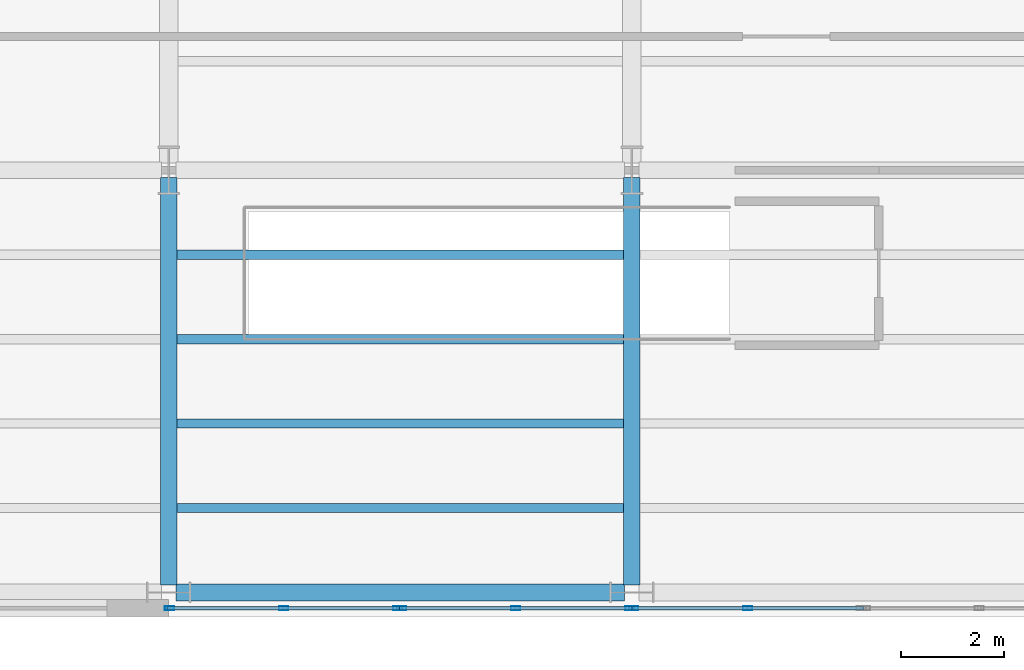
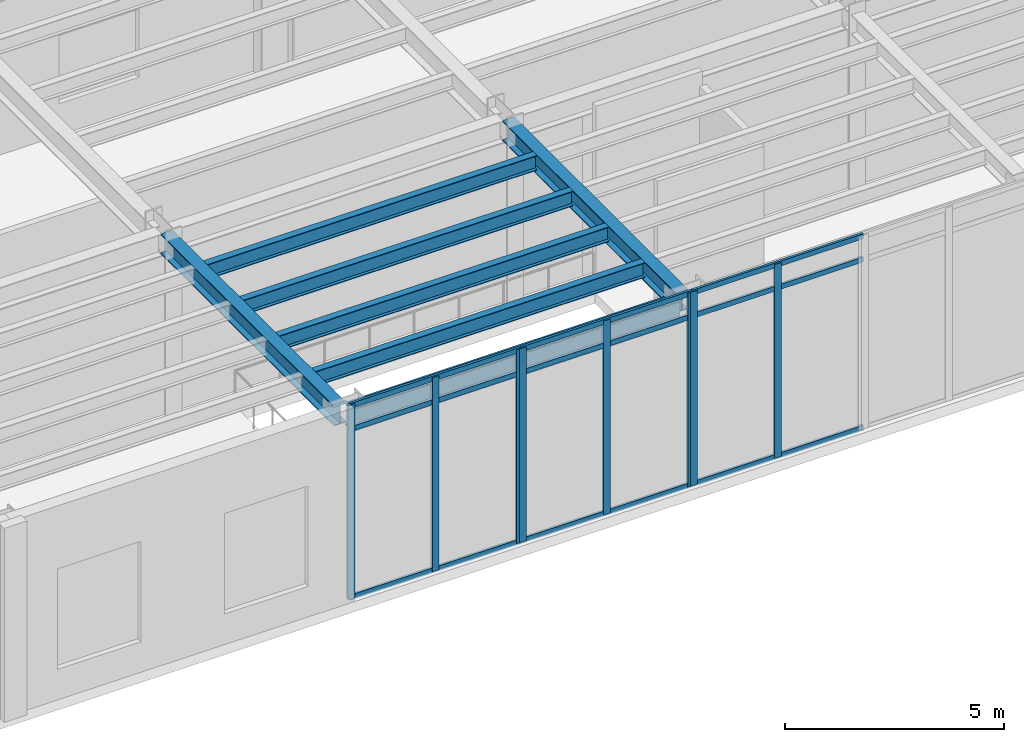
# One storey, part 29 of 98: 17 members, 7 beams, 3 elements without a shape of their own.
"""IFC4 building model written with IfcOpenShell, lengths in metres."""

import ifcopenshell
import ifcopenshell.guid

model = None  # the IFC model being written
_history = None  # IfcOwnerHistory: only IFC2X3 demands one
_inside = {}  # id of a spatial element -> (the spatial element, [elements in it])
_under = {}  # id of a project, library or spatial element -> (it, [spatial elements below it])
_declared = {}  # id of a project -> (the project, [libraries it declares])
_typed = {}  # id of a type object -> (the type object, [elements of that type])
_made_of = {}  # id of a material, layer set ... -> (it, [elements and type objects made of it])


def new_model(schema):
    """Start an empty IFC model of exactly this schema.

    Asked for "IFC4X3", IfcOpenShell would pick the latest addendum, in which some entities
    have other attributes; the version numbers below select the first issue.
    IFC2X3 requires an IfcOwnerHistory on every rooted entity: one is made here for all.
    """
    global model, _history
    if schema == "IFC4X3":
        model = ifcopenshell.file(schema_version=(4, 3, 0, 0))
    else:
        model = ifcopenshell.file(schema=schema)
    _inside.clear()
    _under.clear()
    _declared.clear()
    _typed.clear()
    _made_of.clear()
    _history = None
    if model.schema == "IFC2X3":
        org = make("IfcOrganization", Name="unknown")
        user = make(
            "IfcPersonAndOrganization",
            ThePerson=make("IfcPerson", FamilyName="unknown"),
            TheOrganization=org,
        )
        app = make(
            "IfcApplication",
            ApplicationDeveloper=org,
            Version="unknown",
            ApplicationFullName="unknown",
            ApplicationIdentifier="unknown",
        )
        _history = make(
            "IfcOwnerHistory",
            OwningUser=user,
            OwningApplication=app,
            ChangeAction="ADDED",
            CreationDate=0,
        )
    return model


def make(cls, **values):
    """One entity of the class cls with the attributes given. An attribute that is None is left unset."""
    return model.create_entity(
        cls, **{name: value for name, value in values.items() if value is not None}
    )


def rooted(cls, **values):
    """An entity with a GlobalId (a new one), such as an element, a storey or a relation."""
    return make(cls, GlobalId=ifcopenshell.guid.new(), OwnerHistory=_history, **values)


def si_unit(unit_type, name, prefix=None):
    """IfcSIUnit, for example si_unit("LENGTHUNIT", "METRE", prefix="MILLI")."""
    return make("IfcSIUnit", UnitType=unit_type, Prefix=prefix, Name=name)


def assignment(units):
    """IfcUnitAssignment: the units of a project."""
    return None if units is None else make("IfcUnitAssignment", Units=units)


def point(xyz):
    """IfcCartesianPoint."""
    return None if xyz is None else make("IfcCartesianPoint", Coordinates=xyz)


def direction(xyz):
    """IfcDirection."""
    return None if xyz is None else make("IfcDirection", DirectionRatios=xyz)


def frame(location, z_axis=None, x_axis=None):
    """IfcAxis2Placement3D, a coordinate frame: its origin and axes. An axis left out is left unset."""
    return make(
        "IfcAxis2Placement3D",
        Location=point(location),
        Axis=direction(z_axis),
        RefDirection=direction(x_axis),
    )


def frame_2d(location, x_axis=None):
    """IfcAxis2Placement2D, a coordinate frame in the plane: its origin and x axis."""
    return make(
        "IfcAxis2Placement2D", Location=point(location), RefDirection=direction(x_axis)
    )


def origin():
    """The frame at (0, 0, 0) with its axes left unset."""
    return frame((0.0, 0.0, 0.0))


def origin_2d():
    """The frame at (0, 0) in the plane with its x axis left unset."""
    return frame_2d((0.0, 0.0))


def place(relative_to, where):
    """IfcLocalPlacement: puts the frame where relative to a parent placement (None: the world)."""
    return make(
        "IfcLocalPlacement", PlacementRelTo=relative_to, RelativePlacement=where
    )


def context(
    kind, dimensions, precision=None, world=None, true_north=None, identifier=None
):
    """IfcGeometricRepresentationContext, for example the 3D "Model" context."""
    return make(
        "IfcGeometricRepresentationContext",
        ContextIdentifier=identifier,
        ContextType=kind,
        CoordinateSpaceDimension=dimensions,
        Precision=precision,
        WorldCoordinateSystem=world,
        TrueNorth=true_north,
    )


def subcontext(parent, identifier, kind, view, scale=None):
    """IfcGeometricRepresentationSubContext, for example "Body" below "Model"."""
    return make(
        "IfcGeometricRepresentationSubContext",
        ContextIdentifier=identifier,
        ContextType=kind,
        ParentContext=parent,
        TargetScale=scale,
        TargetView=view,
    )


def project(units=None, contexts=None):
    """IfcProject with its units and contexts."""
    return rooted(
        "IfcProject",
        Name="project",
        RepresentationContexts=contexts,
        UnitsInContext=assignment(units),
    )


def spatial(cls, under=None, at=None, **own):
    """A site, building, storey or space (cls), placed at a placement, below another one or the project."""
    s = rooted(cls, ObjectPlacement=at, **own)
    if under is not None:
        _under.setdefault(under.id(), (under, []))[1].append(s)
    return s


def profile(cls, at=None, kind="AREA", **sizes):
    """A parametric profile (cls). Its sizes go by their IFC names, for example OverallWidth=200.0."""
    return make(cls, ProfileType=kind, Position=at, **sizes)


def hollow_rectangle(**sizes):
    """IfcRectangleHollowProfileDef."""
    return profile("IfcRectangleHollowProfileDef", **sizes)


def i_section(**sizes):
    """IfcIShapeProfileDef."""
    return profile("IfcIShapeProfileDef", **sizes)


def extrude(swept, where, along, depth):
    """IfcExtrudedAreaSolid: the profile swept, set in the frame where, extruded along a direction by depth."""
    return make(
        "IfcExtrudedAreaSolid",
        SweptArea=swept,
        Position=where,
        ExtrudedDirection=direction(along),
        Depth=depth,
    )


def shape(context_of_items, identifier, shape_type, items):
    """IfcShapeRepresentation: the items that make up one representation, for example the "Body"."""
    return make(
        "IfcShapeRepresentation",
        ContextOfItems=context_of_items,
        RepresentationIdentifier=identifier,
        RepresentationType=shape_type,
        Items=items,
    )


def material(Name=None, Category=None):
    """IfcMaterial."""
    return make("IfcMaterial", Name=Name, Category=Category)


def layer(
    of_material, thickness, ventilated=None, Name=None, Category=None, Priority=None
):
    """IfcMaterialLayer: one layer of a wall or slab, of a material (None: an air gap)."""
    return make(
        "IfcMaterialLayer",
        Material=of_material,
        LayerThickness=thickness,
        IsVentilated=ventilated,
        Name=Name,
        Category=Category,
        Priority=Priority,
    )


def layer_set(layers, Name=None):
    """IfcMaterialLayerSet."""
    return make("IfcMaterialLayerSet", MaterialLayers=layers, LayerSetName=Name)


def material_profile(
    of_material, cross_section, Name=None, Category=None, Priority=None
):
    """IfcMaterialProfile: a cross section and its material."""
    return make(
        "IfcMaterialProfile",
        Name=Name,
        Material=of_material,
        Profile=cross_section,
        Priority=Priority,
        Category=Category,
    )


def profile_set(profiles, Name=None, composite=None):
    """IfcMaterialProfileSet."""
    return make(
        "IfcMaterialProfileSet",
        Name=Name,
        MaterialProfiles=profiles,
        CompositeProfile=composite,
    )


def made_of(thing, what):
    """Note that an element or type object is made of a material, layer set ...; save() writes the relation."""
    if what is not None:
        _made_of.setdefault(what.id(), (what, []))[1].append(thing)
    return thing


def type_object(cls, material=None, **own):
    """A type object (cls), such as IfcWallType, which elements share."""
    return made_of(rooted(cls, **own), material)


def element(
    cls,
    number,
    at=None,
    inside=None,
    cuts=None,
    type_object=None,
    material=None,
    context=None,
    identifier="Body",
    shape_type=None,
    held_by="IfcProductDefinitionShape",
    body=None,
    shapes=None,
    **own,
):
    """One element of the class cls, such as IfcWall. Its Tag is "e" and its number.

    at: its placement. inside: the storey or other place that contains it. cuts: it is an
    opening in that element (IfcRelVoidsElement). A single representation is given by context,
    identifier, shape_type and body (its items); several are given by shapes. held_by: the class
    of the entity that holds the representations. save() writes the other relations.
    """
    e = rooted(cls, Tag="e%d" % number, ObjectPlacement=at, **own)
    if body is not None:
        shapes = [shape(context, identifier, shape_type, body)]
    if shapes is not None:
        e.Representation = make(held_by, Representations=shapes)
    if inside is not None:
        _inside.setdefault(inside.id(), (inside, []))[1].append(e)
    if cuts is not None:
        rooted(
            "IfcRelVoidsElement", RelatingBuildingElement=cuts, RelatedOpeningElement=e
        )
    if type_object is not None:
        _typed.setdefault(type_object.id(), (type_object, []))[1].append(e)
    return made_of(e, material)


def aggregate(whole, parts):
    """IfcRelAggregates: a whole, such as a stair, and the parts it consists of."""
    return rooted("IfcRelAggregates", RelatingObject=whole, RelatedObjects=parts)


def save(model, path):
    """Write the relations noted so far, then the file.

    IfcRelAggregates (storeys below a building ...), IfcRelContainedInSpatialStructure (elements
    in a storey), IfcRelDefinesByType, IfcRelAssociatesMaterial and IfcRelDeclares: one each for
    every whole, place, type object, material and project.
    """
    for whole, parts in _under.values():
        aggregate(whole, parts)
    for where, things in _inside.values():
        rooted(
            "IfcRelContainedInSpatialStructure",
            RelatedElements=things,
            RelatingStructure=where,
        )
    for kind, things in _typed.values():
        rooted("IfcRelDefinesByType", RelatedObjects=things, RelatingType=kind)
    for what, things in _made_of.values():
        rooted("IfcRelAssociatesMaterial", RelatedObjects=things, RelatingMaterial=what)
    for by, libraries in _declared.values():
        rooted("IfcRelDeclares", RelatingContext=by, RelatedDefinitions=libraries)
    model.write(path)


model = new_model("IFC4")

# Units and contexts
model_context = context("Model", 3, precision=1e-05, world=origin(), true_north=direction((0.0, 1.0)))
body_context = subcontext(model_context, "Body", "Model", "MODEL_VIEW")
ifc_project = project(units=[si_unit("LENGTHUNIT", "METRE"), si_unit("AREAUNIT", "SQUARE_METRE"), si_unit("VOLUMEUNIT", "CUBIC_METRE"), si_unit("PLANEANGLEUNIT", "RADIAN"), si_unit("MASSUNIT", "GRAM", prefix="KILO")], contexts=[model_context])

# Site, building, storey
site_placement = place(None, origin())
site = spatial("IfcSite", under=ifc_project, at=site_placement, CompositionType="ELEMENT")
building_placement = place(site_placement, origin())
building = spatial("IfcBuilding", under=site, at=building_placement, Name="Sollismere Congress Hotel", CompositionType="ELEMENT")
storey_placement = place(building_placement, frame((0.0, 0.0, 5.39990234375)))
storey = spatial("IfcBuildingStorey", under=building, at=storey_placement, Name="L01", CompositionType="ELEMENT", Elevation=5.39990234375)

# Beams
ifc_material_1 = material(Name="Steel ASTM A992 Grade 50", Category="steel")
ifc_material_profile_1 = material_profile(ifc_material_1, i_section(OverallWidth=0.31494140625, OverallDepth=0.551025390625, WebThickness=0.01513671875, FlangeThickness=0.0244140625, at=origin_2d()), Name="W21X122")
ifc_profile_set_1 = profile_set([ifc_material_profile_1], Name="Steel ASTM A992 Grade 50")
beam_type_1 = type_object("IfcBeamType", Name="BM-G21H", PredefinedType="BEAM", material=ifc_profile_set_1)
for number, where, z_axis, x_axis, name in (
    (1, (67.0, 0.139892578125, 4.844482421875), (0.0, 1.0, 0.0), (-1.0, 0.0, 0.0), "Beam BM-L01-1657"),
    (2, (76.0, 0.139892578125, 4.844482421875), (0.0, 1.0, 0.0), (-1.0, 0.0, 0.0), "Beam BM-L01-1663"),
):
    element("IfcBeam", number, at=place(storey_placement, frame(where, z_axis=z_axis, x_axis=x_axis)), inside=storey, type_object=beam_type_1, Name=name, PredefinedType="BEAM", context=body_context, shape_type="SweptSolid", body=[
        extrude(i_section(OverallWidth=0.31494140625, OverallDepth=0.551025390625, WebThickness=0.01513671875, FlangeThickness=0.0244140625, at=origin_2d()), origin(), (0.0, 0.0, 1.0), 7.920166015625),
    ])
ifc_material_profile_2 = material_profile(ifc_material_1, i_section(OverallWidth=0.180908203125, OverallDepth=0.4169921875, WebThickness=0.010986328125, FlangeThickness=0.018310546875, at=origin_2d()), Name="W16X57")
ifc_profile_set_2 = profile_set([ifc_material_profile_2], Name="Steel ASTM A992 Grade 50")
beam_type_2 = type_object("IfcBeamType", Name="BM-J16", PredefinedType="JOIST", material=ifc_profile_set_2)
for number, where, z_axis, x_axis, name in (
    (3, (67.157470703125, 1.639892578125, 4.91162109375), (1.0, 0.0, 0.0), (0.0, 1.0, 0.0), "Beam BM-L01-1794"),
    (4, (67.157470703125, 3.280029296875, 4.91162109375), (1.0, 0.0, 0.0), (0.0, 1.0, 0.0), "Beam BM-L01-1795"),
    (5, (67.157470703125, 4.919921875, 4.91162109375), (1.0, 0.0, 0.0), (0.0, 1.0, 0.0), "Beam BM-L01-1796"),
    (6, (67.157470703125, 6.56005859375, 4.91162109375), (1.0, 0.0, 0.0), (0.0, 1.0, 0.0), "Beam BM-L01-1797"),
):
    element("IfcBeam", number, at=place(storey_placement, frame(where, z_axis=z_axis, x_axis=x_axis)), inside=storey, type_object=beam_type_2, Name=name, PredefinedType="JOIST", context=body_context, shape_type="SweptSolid", body=[
        extrude(i_section(OverallWidth=0.180908203125, OverallDepth=0.4169921875, WebThickness=0.010986328125, FlangeThickness=0.018310546875, at=origin_2d()), origin(), (0.0, 0.0, 1.0), 8.68505859375),
    ])
ifc_material_profile_3 = material_profile(ifc_material_1, i_section(OverallWidth=0.330078125, OverallDepth=0.635009765625, WebThickness=0.017822265625, FlangeThickness=0.031005859375, at=origin_2d()), Name="W24X162")
ifc_profile_set_3 = profile_set([ifc_material_profile_3], Name="Steel ASTM A992 Grade 50")
beam_type_3 = type_object("IfcBeamType", Name="BM-SP24E", PredefinedType="SPANDREL", material=ifc_profile_set_3)
beam_placement = place(storey_placement, frame((67.139892578125, 0.0, 4.802490234375), z_axis=(1.0, 0.0, 0.0), x_axis=(0.0, 1.0, 0.0)))
element("IfcBeam", 7, at=beam_placement, inside=storey, type_object=beam_type_3, Name="Beam BM-L01-1526", PredefinedType="SPANDREL", context=body_context, shape_type="SweptSolid", body=[
    extrude(i_section(OverallWidth=0.330078125, OverallDepth=0.635009765625, WebThickness=0.017822265625, FlangeThickness=0.031005859375, at=origin_2d()), origin(), (0.0, 0.0, 1.0), 8.72021484375),
])

# Curtain wall, members
ifc_material_2 = material(Name="Anodized Bronze Curtain Wall & Low-E Triple Glazing", Category="glass")
ifc_layer = layer(ifc_material_2, 0.199951171875, Name="Anodized Bronze Curtain Wall & Low-E Triple Glazing")
ifc_layer_set = layer_set([ifc_layer], Name="Anodized Bronze Curtain Wall & Low-E Triple Glazing")
curtain_wall_type = type_object("IfcCurtainWallType", Name="CW-GLZ36", PredefinedType="USERDEFINED", material=ifc_layer_set)
curtain_wall_1_placement = place(storey_placement, origin())
curtain_wall_1 = element("IfcCurtainWall", 8, at=curtain_wall_1_placement, inside=storey, type_object=curtain_wall_type, Name="Unitised curtain wall CW-L01-153", ObjectType="UNITISED CURTAIN WALL", PredefinedType="USERDEFINED")
ifc_material_3 = material(Name="Anodized Aluminum 6063-T6", Category="aluminium")
ifc_material_profile_4 = material_profile(ifc_material_3, hollow_rectangle(XDim=0.074951171875, YDim=0.179931640625, WallThickness=0.0048828125, at=origin_2d()), Name="ALU180X75X5")
ifc_profile_set_4 = profile_set([ifc_material_profile_4], Name="Anodized Aluminum 6063-T6")
member_type_1 = type_object("IfcMemberType", Name="ML-CW180", PredefinedType="MULLION", material=ifc_profile_set_4)
member_1_placement = place(storey_placement, frame((67.01806640625, -0.31005859375, 0.0), z_axis=(0.0, 0.0, 1.0), x_axis=(0.0, 1.0, 0.0)))
member_1 = element("IfcMember", 9, at=member_1_placement, type_object=member_type_1, Name="CWL-CW-L01-153-ML01", PredefinedType="MULLION", context=body_context, shape_type="SweptSolid", body=[
    extrude(hollow_rectangle(XDim=0.074951171875, YDim=0.179931640625, WallThickness=0.0048828125, at=origin_2d()), origin(), (0.0, 0.0, 1.0), 5.400146484375),
])
member_2_placement = place(storey_placement, frame((69.235107421875, -0.31005859375, 0.0), z_axis=(0.0, 0.0, 1.0), x_axis=(0.0, 1.0, 0.0)))
member_2 = element("IfcMember", 10, at=member_2_placement, type_object=member_type_1, Name="CWL-CW-L01-153-ML02", PredefinedType="MULLION", context=body_context, shape_type="SweptSolid", body=[
    extrude(hollow_rectangle(XDim=0.074951171875, YDim=0.179931640625, WallThickness=0.0048828125, at=origin_2d()), origin(), (0.0, 0.0, 1.0), 5.400146484375),
])
member_3_placement = place(storey_placement, frame((71.451904296875, -0.31005859375, 0.0), z_axis=(0.0, 0.0, 1.0), x_axis=(0.0, 1.0, 0.0)))
member_3 = element("IfcMember", 11, at=member_3_placement, type_object=member_type_1, Name="CWL-CW-L01-153-ML03", PredefinedType="MULLION", context=body_context, shape_type="SweptSolid", body=[
    extrude(hollow_rectangle(XDim=0.074951171875, YDim=0.179931640625, WallThickness=0.0048828125, at=origin_2d()), origin(), (0.0, 0.0, 1.0), 5.400146484375),
])

curtain_wall_2_placement = place(storey_placement, origin())
curtain_wall_2 = element("IfcCurtainWall", 12, at=curtain_wall_2_placement, inside=storey, type_object=curtain_wall_type, Name="Unitised curtain wall CW-L01-154", ObjectType="UNITISED CURTAIN WALL", PredefinedType="USERDEFINED")
member_4_placement = place(storey_placement, frame((71.528076171875, -0.31005859375, 0.0), z_axis=(0.0, 0.0, 1.0), x_axis=(0.0, 1.0, 0.0)))
member_4 = element("IfcMember", 13, at=member_4_placement, type_object=member_type_1, Name="CWL-CW-L01-154-ML01", PredefinedType="MULLION", context=body_context, shape_type="SweptSolid", body=[
    extrude(hollow_rectangle(XDim=0.074951171875, YDim=0.179931640625, WallThickness=0.0048828125, at=origin_2d()), origin(), (0.0, 0.0, 1.0), 5.400146484375),
])
member_5_placement = place(storey_placement, frame((73.7451171875, -0.31005859375, 0.0), z_axis=(0.0, 0.0, 1.0), x_axis=(0.0, 1.0, 0.0)))
member_5 = element("IfcMember", 14, at=member_5_placement, type_object=member_type_1, Name="CWL-CW-L01-154-ML02", PredefinedType="MULLION", context=body_context, shape_type="SweptSolid", body=[
    extrude(hollow_rectangle(XDim=0.074951171875, YDim=0.179931640625, WallThickness=0.0048828125, at=origin_2d()), origin(), (0.0, 0.0, 1.0), 5.400146484375),
])
member_6_placement = place(storey_placement, frame((75.9619140625, -0.31005859375, 0.0), z_axis=(0.0, 0.0, 1.0), x_axis=(0.0, 1.0, 0.0)))
member_6 = element("IfcMember", 15, at=member_6_placement, type_object=member_type_1, Name="CWL-CW-L01-154-ML03", PredefinedType="MULLION", context=body_context, shape_type="SweptSolid", body=[
    extrude(hollow_rectangle(XDim=0.074951171875, YDim=0.179931640625, WallThickness=0.0048828125, at=origin_2d()), origin(), (0.0, 0.0, 1.0), 5.400146484375),
])

curtain_wall_3_placement = place(storey_placement, origin())
curtain_wall_3 = element("IfcCurtainWall", 16, at=curtain_wall_3_placement, inside=storey, type_object=curtain_wall_type, Name="Unitised curtain wall CW-L01-155", ObjectType="UNITISED CURTAIN WALL", PredefinedType="USERDEFINED")
member_7_placement = place(storey_placement, frame((76.0380859375, -0.31005859375, 0.0), z_axis=(0.0, 0.0, 1.0), x_axis=(0.0, 1.0, 0.0)))
member_7 = element("IfcMember", 17, at=member_7_placement, type_object=member_type_1, Name="CWL-CW-L01-155-ML01", PredefinedType="MULLION", context=body_context, shape_type="SweptSolid", body=[
    extrude(hollow_rectangle(XDim=0.074951171875, YDim=0.179931640625, WallThickness=0.0048828125, at=origin_2d()), origin(), (0.0, 0.0, 1.0), 5.400146484375),
])
member_8_placement = place(storey_placement, frame((78.25, -0.31005859375, 0.0), z_axis=(0.0, 0.0, 1.0), x_axis=(0.0, 1.0, 0.0)))
member_8 = element("IfcMember", 18, at=member_8_placement, type_object=member_type_1, Name="CWL-CW-L01-155-ML02", PredefinedType="MULLION", context=body_context, shape_type="SweptSolid", body=[
    extrude(hollow_rectangle(XDim=0.074951171875, YDim=0.179931640625, WallThickness=0.0048828125, at=origin_2d()), origin(), (0.0, 0.0, 1.0), 5.400146484375),
])

# Member
ifc_material_profile_5 = material_profile(ifc_material_3, hollow_rectangle(XDim=0.06494140625, YDim=0.139892578125, WallThickness=0.00390625, at=origin_2d()), Name="ALU140X65X4")
ifc_profile_set_5 = profile_set([ifc_material_profile_5], Name="Anodized Aluminum 6063-T6")
member_type_2 = type_object("IfcMemberType", Name="TR-CW150", PredefinedType="MEMBER", material=ifc_profile_set_5)
member_9_placement = place(storey_placement, frame((66.97998046875, -0.31005859375, 0.03271484375), z_axis=(1.0, 0.0, 0.0), x_axis=(0.0, 1.0, 0.0)))
member_9 = element("IfcMember", 19, at=member_9_placement, type_object=member_type_2, Name="CWL-CW-L01-153-TR1", PredefinedType="MEMBER", context=body_context, shape_type="SweptSolid", body=[
    extrude(hollow_rectangle(XDim=0.06494140625, YDim=0.139892578125, WallThickness=0.00390625, at=origin_2d()), origin(), (0.0, 0.0, 1.0), 4.510009765625),
])

member_10_placement = place(storey_placement, frame((66.97998046875, -0.31005859375, 4.72021484375), z_axis=(1.0, 0.0, 0.0), x_axis=(0.0, 1.0, 0.0)))
member_10 = element("IfcMember", 20, at=member_10_placement, type_object=member_type_2, Name="CWL-CW-L01-153-TR2", PredefinedType="MEMBER", context=body_context, shape_type="SweptSolid", body=[
    extrude(hollow_rectangle(XDim=0.06494140625, YDim=0.139892578125, WallThickness=0.00390625, at=origin_2d()), origin(), (0.0, 0.0, 1.0), 4.510009765625),
])

member_11_placement = place(storey_placement, frame((66.97998046875, -0.31005859375, 5.36767578125), z_axis=(1.0, 0.0, 0.0), x_axis=(0.0, 1.0, 0.0)))
member_11 = element("IfcMember", 21, at=member_11_placement, type_object=member_type_2, Name="CWL-CW-L01-153-TR3", PredefinedType="MEMBER", context=body_context, shape_type="SweptSolid", body=[
    extrude(hollow_rectangle(XDim=0.06494140625, YDim=0.139892578125, WallThickness=0.00390625, at=origin_2d()), origin(), (0.0, 0.0, 1.0), 4.510009765625),
])

aggregate(curtain_wall_1, [member_1, member_2, member_3, member_9, member_10, member_11])

member_12_placement = place(storey_placement, frame((71.489990234375, -0.31005859375, 0.03271484375), z_axis=(1.0, 0.0, 0.0), x_axis=(0.0, 1.0, 0.0)))
member_12 = element("IfcMember", 22, at=member_12_placement, type_object=member_type_2, Name="CWL-CW-L01-154-TR1", PredefinedType="MEMBER", context=body_context, shape_type="SweptSolid", body=[
    extrude(hollow_rectangle(XDim=0.06494140625, YDim=0.139892578125, WallThickness=0.00390625, at=origin_2d()), origin(), (0.0, 0.0, 1.0), 4.510009765625),
])

member_13_placement = place(storey_placement, frame((71.489990234375, -0.31005859375, 4.72021484375), z_axis=(1.0, 0.0, 0.0), x_axis=(0.0, 1.0, 0.0)))
member_13 = element("IfcMember", 23, at=member_13_placement, type_object=member_type_2, Name="CWL-CW-L01-154-TR2", PredefinedType="MEMBER", context=body_context, shape_type="SweptSolid", body=[
    extrude(hollow_rectangle(XDim=0.06494140625, YDim=0.139892578125, WallThickness=0.00390625, at=origin_2d()), origin(), (0.0, 0.0, 1.0), 4.510009765625),
])

member_14_placement = place(storey_placement, frame((71.489990234375, -0.31005859375, 5.36767578125), z_axis=(1.0, 0.0, 0.0), x_axis=(0.0, 1.0, 0.0)))
member_14 = element("IfcMember", 24, at=member_14_placement, type_object=member_type_2, Name="CWL-CW-L01-154-TR3", PredefinedType="MEMBER", context=body_context, shape_type="SweptSolid", body=[
    extrude(hollow_rectangle(XDim=0.06494140625, YDim=0.139892578125, WallThickness=0.00390625, at=origin_2d()), origin(), (0.0, 0.0, 1.0), 4.510009765625),
])

aggregate(curtain_wall_2, [member_4, member_5, member_6, member_12, member_13, member_14])

member_15_placement = place(storey_placement, frame((76.0, -0.31005859375, 0.03271484375), z_axis=(1.0, 0.0, 0.0), x_axis=(0.0, 1.0, 0.0)))
member_15 = element("IfcMember", 25, at=member_15_placement, type_object=member_type_2, Name="CWL-CW-L01-155-TR1", PredefinedType="MEMBER", context=body_context, shape_type="SweptSolid", body=[
    extrude(hollow_rectangle(XDim=0.06494140625, YDim=0.139892578125, WallThickness=0.00390625, at=origin_2d()), origin(), (0.0, 0.0, 1.0), 4.5),
])

member_16_placement = place(storey_placement, frame((76.0, -0.31005859375, 4.72021484375), z_axis=(1.0, 0.0, 0.0), x_axis=(0.0, 1.0, 0.0)))
member_16 = element("IfcMember", 26, at=member_16_placement, type_object=member_type_2, Name="CWL-CW-L01-155-TR2", PredefinedType="MEMBER", context=body_context, shape_type="SweptSolid", body=[
    extrude(hollow_rectangle(XDim=0.06494140625, YDim=0.139892578125, WallThickness=0.00390625, at=origin_2d()), origin(), (0.0, 0.0, 1.0), 4.5),
])

member_17_placement = place(storey_placement, frame((76.0, -0.31005859375, 5.36767578125), z_axis=(1.0, 0.0, 0.0), x_axis=(0.0, 1.0, 0.0)))
member_17 = element("IfcMember", 27, at=member_17_placement, type_object=member_type_2, Name="CWL-CW-L01-155-TR3", PredefinedType="MEMBER", context=body_context, shape_type="SweptSolid", body=[
    extrude(hollow_rectangle(XDim=0.06494140625, YDim=0.139892578125, WallThickness=0.00390625, at=origin_2d()), origin(), (0.0, 0.0, 1.0), 4.5),
])

aggregate(curtain_wall_3, [member_7, member_8, member_15, member_16, member_17])

save(model, "model.ifc")
